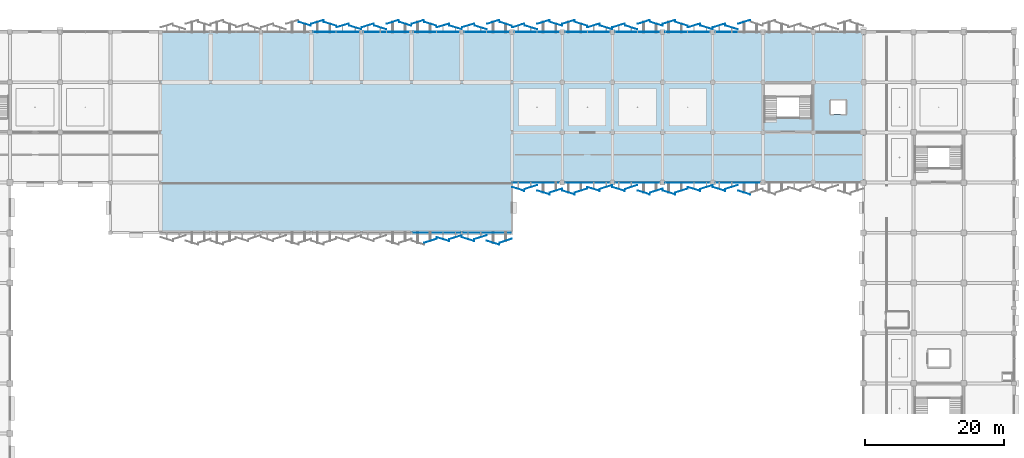
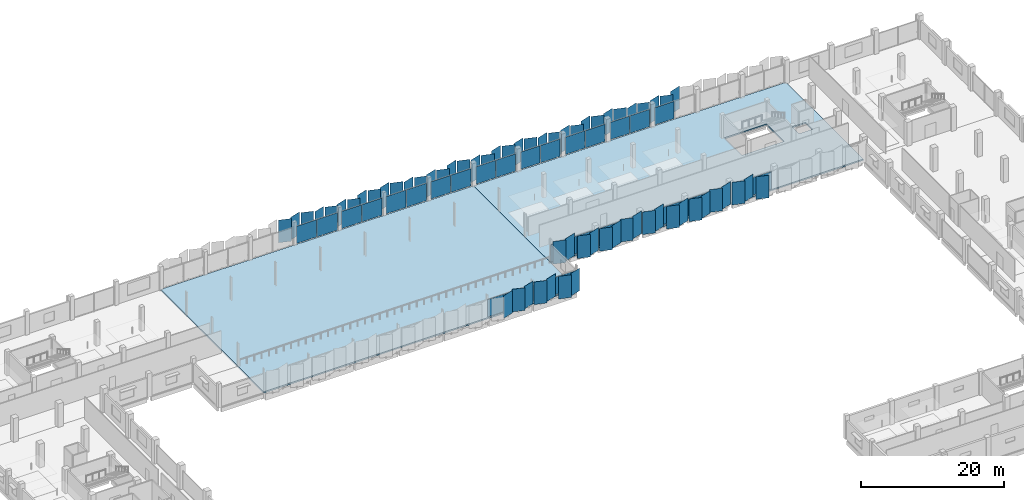
# One storey, part 72 of 107: 86 plates, 2 slabs, 16 elements without a shape of their own.
"""IFC4 building model written with IfcOpenShell, lengths in metres."""

from ifc_helpers import new_model, si_unit, direction, frame, origin, origin_2d, place, context, subcontext, project, spatial, polyline, rectangle, outline, extrude, material, layer, layer_set, type_object, element, aggregate, save


model = new_model("IFC4")

# Units and contexts
model_context = context("Model", 3, precision=1e-05, world=origin(), true_north=direction((0.0, 1.0)))
body_context = subcontext(model_context, "Body", "Model", "MODEL_VIEW")
ifc_project = project(units=[si_unit("LENGTHUNIT", "METRE"), si_unit("AREAUNIT", "SQUARE_METRE"), si_unit("VOLUMEUNIT", "CUBIC_METRE"), si_unit("PLANEANGLEUNIT", "RADIAN"), si_unit("MASSUNIT", "GRAM", prefix="KILO")], contexts=[model_context])

# Site, building, storey
site_placement = place(None, origin())
site = spatial("IfcSite", under=ifc_project, at=site_placement, CompositionType="ELEMENT")
building_placement = place(site_placement, origin())
building = spatial("IfcBuilding", under=site, at=building_placement, Name="Kangsadwip Square Police Headquarters", CompositionType="ELEMENT")
storey_placement = place(building_placement, frame((0.0, 0.0, 5.39990234375)))
storey = spatial("IfcBuildingStorey", under=building, at=storey_placement, Name="L01", CompositionType="ELEMENT", Elevation=5.39990234375)

# Curtain wall, plate
ifc_material_1 = material(Name="Thermally broken anodised aluminium AW-6063-T6", Category="aluminium")
ifc_layer_1 = layer(ifc_material_1, 0.159912109375)
ifc_layer_set_1 = layer_set([ifc_layer_1], Name="Thermally broken anodised aluminium AW-6063-T6")
curtain_wall_type_1 = type_object("IfcCurtainWallType", Name="CourtScreen7180x3200", PredefinedType="USERDEFINED", material=ifc_layer_set_1)
curtain_wall_1_placement = place(storey_placement, origin())
curtain_wall_1 = element("IfcCurtainWall", 1, at=curtain_wall_1_placement, inside=storey, type_object=curtain_wall_type_1, Name="Curtain Wall CW-L01-0792-0864", ObjectType="GLAZED_SCREEN", PredefinedType="USERDEFINED")
ifc_material_2 = material(Name="Double-glazed solar-control low-E safety glass", Category="glass")
ifc_layer_2 = layer(ifc_material_2, 0.02392578125)
ifc_layer_set_2 = layer_set([ifc_layer_2], Name="Double-glazed solar-control low-E safety glass")
plate_type_1 = type_object("IfcPlateType", Name="CwCourtVisionPanel24", PredefinedType="CURTAIN_PANEL", material=ifc_layer_set_2)
plate_1_placement = place(storey_placement, frame((82.800048828125, 86.39990234375, 0.1201171875), z_axis=(0.0, 0.0, 1.0), x_axis=(1.0, 0.0, 0.0)))
plate_1 = element("IfcPlate", 2, at=plate_1_placement, type_object=plate_type_1, Name="CW-17 panel 1.1", PredefinedType="CURTAIN_PANEL", context=body_context, shape_type="SweptSolid", body=[
    extrude(rectangle(XDim=7.06005859375, YDim=0.02392578125, at=origin_2d()), origin(), (0.0, 0.0, 1.0), 2.9599609375),
])
aggregate(curtain_wall_1, [plate_1])

curtain_wall_2_placement = place(storey_placement, origin())
curtain_wall_2 = element("IfcCurtainWall", 3, at=curtain_wall_2_placement, inside=storey, type_object=curtain_wall_type_1, Name="Curtain Wall CW-L01-0864-0864", ObjectType="GLAZED_SCREEN", PredefinedType="USERDEFINED")
plate_2_placement = place(storey_placement, frame((90.0, 86.39990234375, 0.1201171875), z_axis=(0.0, 0.0, 1.0), x_axis=(1.0, 0.0, 0.0)))
plate_2 = element("IfcPlate", 4, at=plate_2_placement, type_object=plate_type_1, Name="CW-17 panel 1.1", PredefinedType="CURTAIN_PANEL", context=body_context, shape_type="SweptSolid", body=[
    extrude(rectangle(XDim=7.06005859375, YDim=0.02392578125, at=origin_2d()), origin(), (0.0, 0.0, 1.0), 2.9599609375),
])
aggregate(curtain_wall_2, [plate_2])

ifc_material_3 = material(Name="Thermally broken anodised aluminium AW-6063-T6", Category="aluminium")
ifc_layer_3 = layer(ifc_material_3, 0.159912109375)
ifc_layer_set_3 = layer_set([ifc_layer_3], Name="Thermally broken anodised aluminium AW-6063-T6")
curtain_wall_type_2 = type_object("IfcCurtainWallType", Name="CourtScreen6845x3200", PredefinedType="USERDEFINED", material=ifc_layer_set_3)
curtain_wall_3_placement = place(storey_placement, origin())
curtain_wall_3 = element("IfcCurtainWall", 5, at=curtain_wall_3_placement, inside=storey, type_object=curtain_wall_type_2, Name="Curtain Wall CW-L01-0936-0936", ObjectType="GLAZED_SCREEN", PredefinedType="USERDEFINED")
plate_3_placement = place(storey_placement, frame((97.032470703125, 93.60009765625, 0.1201171875), z_axis=(0.0, 0.0, 1.0), x_axis=(1.0, 0.0, 0.0)))
plate_3 = element("IfcPlate", 6, at=plate_3_placement, type_object=plate_type_1, Name="CW-18 panel 1.1", PredefinedType="CURTAIN_PANEL", context=body_context, shape_type="SweptSolid", body=[
    extrude(rectangle(XDim=6.72509765625, YDim=0.02392578125, at=origin_2d()), origin(), (0.0, 0.0, 1.0), 2.9599609375),
])
aggregate(curtain_wall_3, [plate_3])

ifc_material_4 = material(Name="Thermally broken anodised aluminium AW-6063-T6", Category="aluminium")
ifc_layer_4 = layer(ifc_material_4, 0.159912109375)
ifc_layer_set_4 = layer_set([ifc_layer_4], Name="Thermally broken anodised aluminium AW-6063-T6")
curtain_wall_type_3 = type_object("IfcCurtainWallType", Name="CourtScreen6510x3200", PredefinedType="USERDEFINED", material=ifc_layer_set_4)
curtain_wall_4_placement = place(storey_placement, origin())
curtain_wall_4 = element("IfcCurtainWall", 7, at=curtain_wall_4_placement, inside=storey, type_object=curtain_wall_type_3, Name="Curtain Wall CW-L01-1011-0936", ObjectType="GLAZED_SCREEN", PredefinedType="USERDEFINED")
plate_4_placement = place(storey_placement, frame((104.39990234375, 93.60009765625, 0.1201171875), z_axis=(0.0, 0.0, 1.0), x_axis=(1.0, 0.0, 0.0)))
plate_4 = element("IfcPlate", 8, at=plate_4_placement, type_object=plate_type_1, Name="CW-19 panel 1.1", PredefinedType="CURTAIN_PANEL", context=body_context, shape_type="SweptSolid", body=[
    extrude(rectangle(XDim=6.389892578125, YDim=0.02392578125, at=origin_2d()), origin(), (0.0, 0.0, 1.0), 2.9599609375),
])
aggregate(curtain_wall_4, [plate_4])

curtain_wall_5_placement = place(storey_placement, origin())
curtain_wall_5 = element("IfcCurtainWall", 9, at=curtain_wall_5_placement, inside=storey, type_object=curtain_wall_type_3, Name="Curtain Wall CW-L01-1083-0936", ObjectType="GLAZED_SCREEN", PredefinedType="USERDEFINED")
plate_5_placement = place(storey_placement, frame((111.60009765625, 93.60009765625, 0.1201171875), z_axis=(0.0, 0.0, 1.0), x_axis=(1.0, 0.0, 0.0)))
plate_5 = element("IfcPlate", 10, at=plate_5_placement, type_object=plate_type_1, Name="CW-19 panel 1.1", PredefinedType="CURTAIN_PANEL", context=body_context, shape_type="SweptSolid", body=[
    extrude(rectangle(XDim=6.389892578125, YDim=0.02392578125, at=origin_2d()), origin(), (0.0, 0.0, 1.0), 2.9599609375),
])
aggregate(curtain_wall_5, [plate_5])

curtain_wall_6_placement = place(storey_placement, origin())
curtain_wall_6 = element("IfcCurtainWall", 11, at=curtain_wall_6_placement, inside=storey, type_object=curtain_wall_type_3, Name="Curtain Wall CW-L01-1155-0936", ObjectType="GLAZED_SCREEN", PredefinedType="USERDEFINED")
plate_6_placement = place(storey_placement, frame((118.800048828125, 93.60009765625, 0.1201171875), z_axis=(0.0, 0.0, 1.0), x_axis=(1.0, 0.0, 0.0)))
plate_6 = element("IfcPlate", 12, at=plate_6_placement, type_object=plate_type_1, Name="CW-19 panel 1.1", PredefinedType="CURTAIN_PANEL", context=body_context, shape_type="SweptSolid", body=[
    extrude(rectangle(XDim=6.389892578125, YDim=0.02392578125, at=origin_2d()), origin(), (0.0, 0.0, 1.0), 2.9599609375),
])
aggregate(curtain_wall_6, [plate_6])

curtain_wall_7_placement = place(storey_placement, origin())
curtain_wall_7 = element("IfcCurtainWall", 13, at=curtain_wall_7_placement, inside=storey, type_object=curtain_wall_type_3, Name="Curtain Wall CW-L01-1227-0936", ObjectType="GLAZED_SCREEN", PredefinedType="USERDEFINED")
plate_7_placement = place(storey_placement, frame((126.0, 93.60009765625, 0.1201171875), z_axis=(0.0, 0.0, 1.0), x_axis=(1.0, 0.0, 0.0)))
plate_7 = element("IfcPlate", 14, at=plate_7_placement, type_object=plate_type_1, Name="CW-19 panel 1.1", PredefinedType="CURTAIN_PANEL", context=body_context, shape_type="SweptSolid", body=[
    extrude(rectangle(XDim=6.389892578125, YDim=0.02392578125, at=origin_2d()), origin(), (0.0, 0.0, 1.0), 2.9599609375),
])
aggregate(curtain_wall_7, [plate_7])

# Curtain wall, plates
ifc_material_5 = material(Name="Thermally broken anodised aluminium AW-6063-T6", Category="aluminium")
ifc_layer_5 = layer(ifc_material_5, 0.159912109375)
ifc_layer_set_5 = layer_set([ifc_layer_5], Name="Thermally broken anodised aluminium AW-6063-T6")
curtain_wall_type_4 = type_object("IfcCurtainWallType", Name="UnitisedCw6685x3200", PredefinedType="NOTDEFINED", material=ifc_layer_set_5)
curtain_wall_8_placement = place(storey_placement, origin())
curtain_wall_8 = element("IfcCurtainWall", 15, at=curtain_wall_8_placement, inside=storey, type_object=curtain_wall_type_4, Name="Curtain Wall CW-L01-0650-1152", PredefinedType="NOTDEFINED")
ifc_material_6 = material(Name="Double-glazed solar-control low-E safety glass", Category="glass")
ifc_layer_6 = layer(ifc_material_6, 0.028076171875)
ifc_layer_set_6 = layer_set([ifc_layer_6], Name="Double-glazed solar-control low-E safety glass")
plate_type_2 = type_object("IfcPlateType", Name="CwSolarVisionPanel28", PredefinedType="CURTAIN_PANEL", material=ifc_layer_set_6)
plate_8_placement = place(storey_placement, frame((66.732421875, 115.199951171875, 0.130126953125), z_axis=(0.0, 0.0, 1.0), x_axis=(1.0, 0.0, 0.0)))
plate_8 = element("IfcPlate", 16, at=plate_8_placement, type_object=plate_type_2, Name="CW-23 panel 1.1", PredefinedType="CURTAIN_PANEL", context=body_context, shape_type="SweptSolid", body=[
    extrude(rectangle(XDim=3.2451171875, YDim=0.028076171875, at=origin_2d()), origin(), (0.0, 0.0, 1.0), 2.93994140625),
])
plate_9_placement = place(storey_placement, frame((70.04248046875, 115.199951171875, 0.130126953125), z_axis=(0.0, 0.0, 1.0), x_axis=(1.0, 0.0, 0.0)))
plate_9 = element("IfcPlate", 17, at=plate_9_placement, type_object=plate_type_2, Name="CW-23 panel 2.1", PredefinedType="CURTAIN_PANEL", context=body_context, shape_type="SweptSolid", body=[
    extrude(rectangle(XDim=3.2451171875, YDim=0.028076171875, at=origin_2d()), origin(), (0.0, 0.0, 1.0), 2.93994140625),
])
aggregate(curtain_wall_8, [plate_8, plate_9])

curtain_wall_9_placement = place(storey_placement, origin())
curtain_wall_9 = element("IfcCurtainWall", 18, at=curtain_wall_9_placement, inside=storey, type_object=curtain_wall_type_4, Name="Curtain Wall CW-L01-0794-1152", PredefinedType="NOTDEFINED")
plate_10_placement = place(storey_placement, frame((81.132568359375, 115.199951171875, 0.130126953125), z_axis=(0.0, 0.0, 1.0), x_axis=(1.0, 0.0, 0.0)))
plate_10 = element("IfcPlate", 19, at=plate_10_placement, type_object=plate_type_2, Name="CW-23 panel 1.1", PredefinedType="CURTAIN_PANEL", context=body_context, shape_type="SweptSolid", body=[
    extrude(rectangle(XDim=3.2451171875, YDim=0.028076171875, at=origin_2d()), origin(), (0.0, 0.0, 1.0), 2.93994140625),
])
plate_11_placement = place(storey_placement, frame((84.4423828125, 115.199951171875, 0.130126953125), z_axis=(0.0, 0.0, 1.0), x_axis=(1.0, 0.0, 0.0)))
plate_11 = element("IfcPlate", 20, at=plate_11_placement, type_object=plate_type_2, Name="CW-23 panel 2.1", PredefinedType="CURTAIN_PANEL", context=body_context, shape_type="SweptSolid", body=[
    extrude(rectangle(XDim=3.2451171875, YDim=0.028076171875, at=origin_2d()), origin(), (0.0, 0.0, 1.0), 2.93994140625),
])
aggregate(curtain_wall_9, [plate_10, plate_11])

ifc_material_7 = material(Name="Thermally broken anodised aluminium AW-6063-T6", Category="aluminium")
ifc_layer_7 = layer(ifc_material_7, 0.159912109375)
ifc_layer_set_7 = layer_set([ifc_layer_7], Name="Thermally broken anodised aluminium AW-6063-T6")
curtain_wall_type_5 = type_object("IfcCurtainWallType", Name="UnitisedCw6585x3200", PredefinedType="NOTDEFINED", material=ifc_layer_set_7)
curtain_wall_10_placement = place(storey_placement, origin())
curtain_wall_10 = element("IfcCurtainWall", 21, at=curtain_wall_10_placement, inside=storey, type_object=curtain_wall_type_5, Name="Curtain Wall CW-L01-0867-1152", PredefinedType="NOTDEFINED")
plate_12_placement = place(storey_placement, frame((88.33251953125, 115.199951171875, 0.130126953125), z_axis=(0.0, 0.0, 1.0), x_axis=(1.0, 0.0, 0.0)))
plate_12 = element("IfcPlate", 22, at=plate_12_placement, type_object=plate_type_2, Name="CW-21 panel 1.1", PredefinedType="CURTAIN_PANEL", context=body_context, shape_type="SweptSolid", body=[
    extrude(rectangle(XDim=3.195068359375, YDim=0.028076171875, at=origin_2d()), origin(), (0.0, 0.0, 1.0), 2.93994140625),
])
plate_13_placement = place(storey_placement, frame((91.592529296875, 115.199951171875, 0.130126953125), z_axis=(0.0, 0.0, 1.0), x_axis=(1.0, 0.0, 0.0)))
plate_13 = element("IfcPlate", 23, at=plate_13_placement, type_object=plate_type_2, Name="CW-21 panel 2.1", PredefinedType="CURTAIN_PANEL", context=body_context, shape_type="SweptSolid", body=[
    extrude(rectangle(XDim=3.195068359375, YDim=0.028076171875, at=origin_2d()), origin(), (0.0, 0.0, 1.0), 2.93994140625),
])
aggregate(curtain_wall_10, [plate_12, plate_13])

ifc_material_8 = material(Name="Thermally broken anodised aluminium AW-6063-T6", Category="aluminium")
ifc_layer_8 = layer(ifc_material_8, 0.159912109375)
ifc_layer_set_8 = layer_set([ifc_layer_8], Name="Thermally broken anodised aluminium AW-6063-T6")
curtain_wall_type_6 = type_object("IfcCurtainWallType", Name="UnitisedCw6510x3200", PredefinedType="NOTDEFINED", material=ifc_layer_set_8)
curtain_wall_11_placement = place(storey_placement, origin())
curtain_wall_11 = element("IfcCurtainWall", 24, at=curtain_wall_11_placement, inside=storey, type_object=curtain_wall_type_6, Name="Curtain Wall CW-L01-0939-1152", PredefinedType="NOTDEFINED")
plate_14_placement = place(storey_placement, frame((95.5888671875, 115.199951171875, 0.130126953125), z_axis=(0.0, 0.0, 1.0), x_axis=(1.0, 0.0, 0.0)))
plate_14 = element("IfcPlate", 25, at=plate_14_placement, type_object=plate_type_2, Name="CW-24 panel 1.1", PredefinedType="CURTAIN_PANEL", context=body_context, shape_type="SweptSolid", body=[
    extrude(rectangle(XDim=3.157470703125, YDim=0.028076171875, at=origin_2d()), origin(), (0.0, 0.0, 1.0), 2.93994140625),
])
plate_15_placement = place(storey_placement, frame((98.811279296875, 115.199951171875, 0.130126953125), z_axis=(0.0, 0.0, 1.0), x_axis=(1.0, 0.0, 0.0)))
plate_15 = element("IfcPlate", 26, at=plate_15_placement, type_object=plate_type_2, Name="CW-24 panel 2.1", PredefinedType="CURTAIN_PANEL", context=body_context, shape_type="SweptSolid", body=[
    extrude(rectangle(XDim=3.157470703125, YDim=0.028076171875, at=origin_2d()), origin(), (0.0, 0.0, 1.0), 2.93994140625),
])
aggregate(curtain_wall_11, [plate_14, plate_15])

curtain_wall_12_placement = place(storey_placement, origin())
curtain_wall_12 = element("IfcCurtainWall", 27, at=curtain_wall_12_placement, inside=storey, type_object=curtain_wall_type_6, Name="Curtain Wall CW-L01-1011-1152", PredefinedType="NOTDEFINED")
plate_16_placement = place(storey_placement, frame((102.788818359375, 115.199951171875, 0.130126953125), z_axis=(0.0, 0.0, 1.0), x_axis=(1.0, 0.0, 0.0)))
plate_16 = element("IfcPlate", 28, at=plate_16_placement, type_object=plate_type_2, Name="CW-24 panel 1.1", PredefinedType="CURTAIN_PANEL", context=body_context, shape_type="SweptSolid", body=[
    extrude(rectangle(XDim=3.157470703125, YDim=0.028076171875, at=origin_2d()), origin(), (0.0, 0.0, 1.0), 2.93994140625),
])
plate_17_placement = place(storey_placement, frame((106.01123046875, 115.199951171875, 0.130126953125), z_axis=(0.0, 0.0, 1.0), x_axis=(1.0, 0.0, 0.0)))
plate_17 = element("IfcPlate", 29, at=plate_17_placement, type_object=plate_type_2, Name="CW-24 panel 2.1", PredefinedType="CURTAIN_PANEL", context=body_context, shape_type="SweptSolid", body=[
    extrude(rectangle(XDim=3.157470703125, YDim=0.028076171875, at=origin_2d()), origin(), (0.0, 0.0, 1.0), 2.93994140625),
])
aggregate(curtain_wall_12, [plate_16, plate_17])

curtain_wall_13_placement = place(storey_placement, origin())
curtain_wall_13 = element("IfcCurtainWall", 30, at=curtain_wall_13_placement, inside=storey, type_object=curtain_wall_type_6, Name="Curtain Wall CW-L01-1083-1152", PredefinedType="NOTDEFINED")
plate_18_placement = place(storey_placement, frame((109.98876953125, 115.199951171875, 0.130126953125), z_axis=(0.0, 0.0, 1.0), x_axis=(1.0, 0.0, 0.0)))
plate_18 = element("IfcPlate", 31, at=plate_18_placement, type_object=plate_type_2, Name="CW-24 panel 1.1", PredefinedType="CURTAIN_PANEL", context=body_context, shape_type="SweptSolid", body=[
    extrude(rectangle(XDim=3.157470703125, YDim=0.028076171875, at=origin_2d()), origin(), (0.0, 0.0, 1.0), 2.93994140625),
])
plate_19_placement = place(storey_placement, frame((113.211181640625, 115.199951171875, 0.130126953125), z_axis=(0.0, 0.0, 1.0), x_axis=(1.0, 0.0, 0.0)))
plate_19 = element("IfcPlate", 32, at=plate_19_placement, type_object=plate_type_2, Name="CW-24 panel 2.1", PredefinedType="CURTAIN_PANEL", context=body_context, shape_type="SweptSolid", body=[
    extrude(rectangle(XDim=3.157470703125, YDim=0.028076171875, at=origin_2d()), origin(), (0.0, 0.0, 1.0), 2.93994140625),
])
aggregate(curtain_wall_13, [plate_18, plate_19])

curtain_wall_14_placement = place(storey_placement, origin())
curtain_wall_14 = element("IfcCurtainWall", 33, at=curtain_wall_14_placement, inside=storey, type_object=curtain_wall_type_6, Name="Curtain Wall CW-L01-1155-1152", PredefinedType="NOTDEFINED")
plate_20_placement = place(storey_placement, frame((117.188720703125, 115.199951171875, 0.130126953125), z_axis=(0.0, 0.0, 1.0), x_axis=(1.0, 0.0, 0.0)))
plate_20 = element("IfcPlate", 34, at=plate_20_placement, type_object=plate_type_2, Name="CW-24 panel 1.1", PredefinedType="CURTAIN_PANEL", context=body_context, shape_type="SweptSolid", body=[
    extrude(rectangle(XDim=3.157470703125, YDim=0.028076171875, at=origin_2d()), origin(), (0.0, 0.0, 1.0), 2.93994140625),
])
plate_21_placement = place(storey_placement, frame((120.4111328125, 115.199951171875, 0.130126953125), z_axis=(0.0, 0.0, 1.0), x_axis=(1.0, 0.0, 0.0)))
plate_21 = element("IfcPlate", 35, at=plate_21_placement, type_object=plate_type_2, Name="CW-24 panel 2.1", PredefinedType="CURTAIN_PANEL", context=body_context, shape_type="SweptSolid", body=[
    extrude(rectangle(XDim=3.157470703125, YDim=0.028076171875, at=origin_2d()), origin(), (0.0, 0.0, 1.0), 2.93994140625),
])
aggregate(curtain_wall_14, [plate_20, plate_21])

curtain_wall_15_placement = place(storey_placement, origin())
curtain_wall_15 = element("IfcCurtainWall", 36, at=curtain_wall_15_placement, inside=storey, type_object=curtain_wall_type_4, Name="Curtain Wall CW-L01-0723-1152", PredefinedType="NOTDEFINED")
ifc_material_9 = material(Name="Insulated ceramic-fritted spandrel safety glass", Category="glass")
ifc_layer_9 = layer(ifc_material_9, 0.0400390625)
ifc_layer_set_9 = layer_set([ifc_layer_9], Name="Insulated ceramic-fritted spandrel safety glass")
plate_type_3 = type_object("IfcPlateType", Name="CwSpandrelSheetPanel40", PredefinedType="SHEET", material=ifc_layer_set_9)
plate_22_placement = place(storey_placement, frame((73.95751953125, 115.199951171875, 0.130126953125), z_axis=(0.0, 0.0, 1.0), x_axis=(1.0, 0.0, 0.0)))
plate_22 = element("IfcPlate", 37, at=plate_22_placement, type_object=plate_type_3, Name="CW-23 panel 1.1", PredefinedType="SHEET", context=body_context, shape_type="SweptSolid", body=[
    extrude(rectangle(XDim=3.2451171875, YDim=0.0400390625, at=origin_2d()), origin(), (0.0, 0.0, 1.0), 2.93994140625),
])
plate_23_placement = place(storey_placement, frame((77.267578125, 115.199951171875, 0.130126953125), z_axis=(0.0, 0.0, 1.0), x_axis=(1.0, 0.0, 0.0)))
plate_23 = element("IfcPlate", 38, at=plate_23_placement, type_object=plate_type_3, Name="CW-23 panel 2.1", PredefinedType="SHEET", context=body_context, shape_type="SweptSolid", body=[
    extrude(rectangle(XDim=3.2451171875, YDim=0.0400390625, at=origin_2d()), origin(), (0.0, 0.0, 1.0), 2.93994140625),
])
aggregate(curtain_wall_15, [plate_22, plate_23])

# Curtain wall, plate
curtain_wall_16_placement = place(storey_placement, origin())
curtain_wall_16 = element("IfcCurtainWall", 39, at=curtain_wall_16_placement, inside=storey, type_object=curtain_wall_type_6, Name="Curtain Wall CW-L01-1227-1152", PredefinedType="NOTDEFINED")
plate_24_placement = place(storey_placement, frame((124.388671875, 115.199951171875, 0.130126953125), z_axis=(0.0, 0.0, 1.0), x_axis=(1.0, 0.0, 0.0)))
plate_24 = element("IfcPlate", 40, at=plate_24_placement, type_object=plate_type_3, Name="CW-24 panel 1.1", PredefinedType="SHEET", context=body_context, shape_type="SweptSolid", body=[
    extrude(rectangle(XDim=3.157470703125, YDim=0.0400390625, at=origin_2d()), origin(), (0.0, 0.0, 1.0), 2.93994140625),
])
aggregate(curtain_wall_16, [plate_24])

# Slabs
ifc_material_10 = material(Name="Concrete M35 (35 MPa)", Category="concrete")
ifc_layer_10 = layer(ifc_material_10, 0.239990234375)
ifc_layer_set_10 = layer_set([ifc_layer_10], Name="Concrete M35 (35 MPa)")
slab_type = type_object("IfcSlabType", Name="MainFloorSlab240", PredefinedType="FLOOR", material=ifc_layer_set_10)
slab_1_placement = place(storey_placement, frame((0.0, 0.0, -0.239990234375)))
element("IfcSlab", 41, at=slab_1_placement, inside=storey, type_object=slab_type, Name="L01 Vol1 Slab SL-L01-020", PredefinedType="FLOOR", context=body_context, shape_type="SweptSolid", body=[
    extrude(outline(polyline([(43.199951171875, 86.39990234375), (43.199951171875, 115.199951171875), (93.60009765625, 115.199951171875), (93.60009765625, 86.39990234375), (43.199951171875, 86.39990234375)])), origin(), (0.0, 0.0, 1.0), 0.239990234375),
])
slab_2_placement = place(storey_placement, frame((0.0, 0.0, -0.239990234375)))
element("IfcSlab", 42, at=slab_2_placement, inside=storey, type_object=slab_type, Name="L01 Vol2 Slab SL-L01-021", PredefinedType="FLOOR", context=body_context, shape_type="SweptSolid", body=[
    extrude(outline(polyline([(93.60009765625, 93.60009765625), (93.60009765625, 115.199951171875), (144.0, 115.199951171875), (144.0, 93.60009765625), (93.60009765625, 93.60009765625)]), holes=[polyline([(141.47509765625, 103.425048828125), (141.47509765625, 105.375), (139.324951171875, 105.375), (139.324951171875, 103.425048828125), (141.47509765625, 103.425048828125)]), polyline([(129.820068359375, 102.8798828125), (136.580078125, 102.8798828125), (136.580078125, 107.780029296875), (129.820068359375, 107.780029296875), (129.820068359375, 102.8798828125)])]), origin(), (0.0, 0.0, 1.0), 0.239990234375),
])

# Plates
ifc_material_11 = material(Name="PVDF-coated perforated marine-grade aluminium AW-5052-H32", Category="aluminium")
ifc_layer_11 = layer(ifc_material_11, 0.006103515625)
ifc_layer_set_11 = layer_set([ifc_layer_11], Name="PVDF-coated perforated marine-grade aluminium AW-5052-H32")
plate_type_4 = type_object("IfcPlateType", Name="PleatedVeilFacet1", PredefinedType="USERDEFINED", material=ifc_layer_set_11)
for number, where, z_axis, x_axis, name in (
    (43, (63.89990234375, 116.3544921875, 0.1201171875), (0.0, 0.0, 1.0), (0.953716950748, -0.300705799504, 0.0), "Pleated Perforated Veil Facet PVF-L01-0012"),
    (44, (65.699951171875, 116.634521484375, 0.1201171875), (0.0, 0.0, 1.0), (0.953716950748, 0.300705799504, 0.0), "Pleated Perforated Veil Facet PVF-L01-0013"),
    (45, (67.5, 116.3544921875, 0.1201171875), (0.0, 0.0, 1.0), (0.953716950748, -0.300705799504, 0.0), "Pleated Perforated Veil Facet PVF-L01-0014"),
    (46, (69.300048828125, 116.12548828125, 0.1201171875), (0.0, 0.0, 1.0), (0.953716950748, 0.300705799504, 0.0), "Pleated Perforated Veil Facet PVF-L01-0015"),
    (47, (71.10009765625, 115.845458984375, 0.1201171875), (0.0, 0.0, 1.0), (0.953716950748, -0.300705799504, 0.0), "Pleated Perforated Veil Facet PVF-L01-0016"),
    (48, (72.89990234375, 116.12548828125, 0.1201171875), (0.0, 0.0, 1.0), (0.953716950748, 0.300705799504, 0.0), "Pleated Perforated Veil Facet PVF-L01-0017"),
    (49, (74.699951171875, 115.845458984375, 0.1201171875), (0.0, 0.0, 1.0), (0.953716950748, -0.300705799504, 0.0), "Pleated Perforated Veil Facet PVF-L01-0018"),
    (50, (76.5, 116.634521484375, 0.1201171875), (0.0, 0.0, 1.0), (0.953716950748, 0.300705799504, 0.0), "Pleated Perforated Veil Facet PVF-L01-0019"),
    (51, (78.300048828125, 116.3544921875, 0.1201171875), (0.0, 0.0, 1.0), (0.953716950748, -0.300705799504, 0.0), "Pleated Perforated Veil Facet PVF-L01-0020"),
    (52, (80.10009765625, 116.634521484375, 0.1201171875), (0.0, 0.0, 1.0), (0.953716950748, 0.300705799504, 0.0), "Pleated Perforated Veil Facet PVF-L01-0021"),
    (53, (81.89990234375, 116.3544921875, 0.1201171875), (0.0, 0.0, 1.0), (0.953716950748, -0.300705799504, 0.0), "Pleated Perforated Veil Facet PVF-L01-0022"),
    (54, (83.699951171875, 116.12548828125, 0.1201171875), (0.0, 0.0, 1.0), (0.953716950748, 0.300705799504, 0.0), "Pleated Perforated Veil Facet PVF-L01-0023"),
    (55, (85.5, 115.845458984375, 0.1201171875), (0.0, 0.0, 1.0), (0.953716950748, -0.300705799504, 0.0), "Pleated Perforated Veil Facet PVF-L01-0024"),
    (56, (87.300048828125, 116.12548828125, 0.1201171875), (0.0, 0.0, 1.0), (0.953716950748, 0.300705799504, 0.0), "Pleated Perforated Veil Facet PVF-L01-0025"),
    (57, (89.10009765625, 115.845458984375, 0.1201171875), (0.0, 0.0, 1.0), (0.953716950748, -0.300705799504, 0.0), "Pleated Perforated Veil Facet PVF-L01-0026"),
    (58, (90.89990234375, 116.634521484375, 0.1201171875), (0.0, 0.0, 1.0), (0.953716950748, 0.300705799504, 0.0), "Pleated Perforated Veil Facet PVF-L01-0027"),
    (59, (92.699951171875, 116.3544921875, 0.1201171875), (0.0, 0.0, 1.0), (0.953716950748, -0.300705799504, 0.0), "Pleated Perforated Veil Facet PVF-L01-0028"),
):
    element("IfcPlate", number, at=place(storey_placement, frame(where, z_axis=z_axis, x_axis=x_axis)), inside=storey, type_object=plate_type_4, Name=name, ObjectType="VEIL_FACET", PredefinedType="USERDEFINED", context=body_context, shape_type="SweptSolid", body=[
        extrude(rectangle(XDim=1.820068359375, YDim=0.006103515625, at=origin_2d()), origin(), (0.0, 0.0, 1.0), 3.860107421875),
    ])
ifc_material_12 = material(Name="PVDF-coated perforated marine-grade aluminium AW-5052-H32", Category="aluminium")
ifc_layer_12 = layer(ifc_material_12, 0.006103515625)
ifc_layer_set_12 = layer_set([ifc_layer_12], Name="PVDF-coated perforated marine-grade aluminium AW-5052-H32")
plate_type_5 = type_object("IfcPlateType", Name="PleatedVeilFacet2", PredefinedType="USERDEFINED", material=ifc_layer_set_12)
for number, where, z_axis, x_axis, name in (
    (60, (94.5, 116.12548828125, 0.1201171875), (0.0, 0.0, 1.0), (0.953716950748, 0.300705799504, 0.0), "Pleated Perforated Veil Facet PVF-L01-0057"),
    (61, (96.300048828125, 115.845458984375, 0.1201171875), (0.0, 0.0, 1.0), (0.953716950748, -0.300705799504, 0.0), "Pleated Perforated Veil Facet PVF-L01-0058"),
    (62, (98.10009765625, 116.634521484375, 0.1201171875), (0.0, 0.0, 1.0), (0.953716950748, 0.300705799504, 0.0), "Pleated Perforated Veil Facet PVF-L01-0059"),
    (63, (99.89990234375, 116.3544921875, 0.1201171875), (0.0, 0.0, 1.0), (0.953716950748, -0.300705799504, 0.0), "Pleated Perforated Veil Facet PVF-L01-0060"),
    (64, (101.699951171875, 116.634521484375, 0.1201171875), (0.0, 0.0, 1.0), (0.953716950748, 0.300705799504, 0.0), "Pleated Perforated Veil Facet PVF-L01-0061"),
    (65, (103.5, 116.3544921875, 0.1201171875), (0.0, 0.0, 1.0), (0.953716950748, -0.300705799504, 0.0), "Pleated Perforated Veil Facet PVF-L01-0062"),
    (66, (105.300048828125, 116.12548828125, 0.1201171875), (0.0, 0.0, 1.0), (0.953716950748, 0.300705799504, 0.0), "Pleated Perforated Veil Facet PVF-L01-0063"),
    (67, (107.10009765625, 115.845458984375, 0.1201171875), (0.0, 0.0, 1.0), (0.953716950748, -0.300705799504, 0.0), "Pleated Perforated Veil Facet PVF-L01-0064"),
    (68, (108.89990234375, 116.12548828125, 0.1201171875), (0.0, 0.0, 1.0), (0.953716950748, 0.300705799504, 0.0), "Pleated Perforated Veil Facet PVF-L01-0065"),
    (69, (110.699951171875, 115.845458984375, 0.1201171875), (0.0, 0.0, 1.0), (0.953716950748, -0.300705799504, 0.0), "Pleated Perforated Veil Facet PVF-L01-0066"),
    (70, (112.5, 116.634521484375, 0.1201171875), (0.0, 0.0, 1.0), (0.953716950748, 0.300705799504, 0.0), "Pleated Perforated Veil Facet PVF-L01-0067"),
    (71, (114.300048828125, 116.3544921875, 0.1201171875), (0.0, 0.0, 1.0), (0.953716950748, -0.300705799504, 0.0), "Pleated Perforated Veil Facet PVF-L01-0068"),
    (72, (116.10009765625, 116.634521484375, 0.1201171875), (0.0, 0.0, 1.0), (0.953716950748, 0.300705799504, 0.0), "Pleated Perforated Veil Facet PVF-L01-0069"),
    (73, (117.89990234375, 116.3544921875, 0.1201171875), (0.0, 0.0, 1.0), (0.953716950748, -0.300705799504, 0.0), "Pleated Perforated Veil Facet PVF-L01-0070"),
    (74, (119.699951171875, 116.12548828125, 0.1201171875), (0.0, 0.0, 1.0), (0.953716950748, 0.300705799504, 0.0), "Pleated Perforated Veil Facet PVF-L01-0071"),
    (75, (121.5, 115.845458984375, 0.1201171875), (0.0, 0.0, 1.0), (0.953716950748, -0.300705799504, 0.0), "Pleated Perforated Veil Facet PVF-L01-0072"),
    (76, (123.300048828125, 116.12548828125, 0.1201171875), (0.0, 0.0, 1.0), (0.953716950748, 0.300705799504, 0.0), "Pleated Perforated Veil Facet PVF-L01-0073"),
    (77, (125.10009765625, 115.845458984375, 0.1201171875), (0.0, 0.0, 1.0), (0.953716950748, -0.300705799504, 0.0), "Pleated Perforated Veil Facet PVF-L01-0074"),
    (78, (126.89990234375, 116.634521484375, 0.1201171875), (0.0, 0.0, 1.0), (0.953716950748, 0.300705799504, 0.0), "Pleated Perforated Veil Facet PVF-L01-0075"),
    (79, (94.5, 92.674560546875, 0.1201171875), (0.0, 0.0, 1.0), (0.953716950748, -0.300705799504, 0.0), "Pleated Perforated Veil Facet PVF-L01-0253"),
    (80, (96.300048828125, 92.95458984375, 0.1201171875), (0.0, 0.0, 1.0), (0.953716950748, 0.300705799504, 0.0), "Pleated Perforated Veil Facet PVF-L01-0254"),
    (81, (98.10009765625, 92.165283203125, 0.1201171875), (0.0, 0.0, 1.0), (0.953716950748, -0.300705799504, 0.0), "Pleated Perforated Veil Facet PVF-L01-0255"),
    (82, (99.89990234375, 92.4453125, 0.1201171875), (0.0, 0.0, 1.0), (0.953716950748, 0.300705799504, 0.0), "Pleated Perforated Veil Facet PVF-L01-0256"),
    (83, (101.699951171875, 92.165283203125, 0.1201171875), (0.0, 0.0, 1.0), (0.953716950748, -0.300705799504, 0.0), "Pleated Perforated Veil Facet PVF-L01-0257"),
    (84, (103.5, 92.4453125, 0.1201171875), (0.0, 0.0, 1.0), (0.953716950748, 0.300705799504, 0.0), "Pleated Perforated Veil Facet PVF-L01-0258"),
    (85, (105.300048828125, 92.674560546875, 0.1201171875), (0.0, 0.0, 1.0), (0.953716950748, -0.300705799504, 0.0), "Pleated Perforated Veil Facet PVF-L01-0259"),
    (86, (107.10009765625, 92.95458984375, 0.1201171875), (0.0, 0.0, 1.0), (0.953716950748, 0.300705799504, 0.0), "Pleated Perforated Veil Facet PVF-L01-0260"),
    (87, (108.89990234375, 92.674560546875, 0.1201171875), (0.0, 0.0, 1.0), (0.953716950748, -0.300705799504, 0.0), "Pleated Perforated Veil Facet PVF-L01-0261"),
    (88, (110.699951171875, 92.95458984375, 0.1201171875), (0.0, 0.0, 1.0), (0.953716950748, 0.300705799504, 0.0), "Pleated Perforated Veil Facet PVF-L01-0262"),
    (89, (112.5, 92.165283203125, 0.1201171875), (0.0, 0.0, 1.0), (0.953716950748, -0.300705799504, 0.0), "Pleated Perforated Veil Facet PVF-L01-0263"),
    (90, (114.300048828125, 92.4453125, 0.1201171875), (0.0, 0.0, 1.0), (0.953716950748, 0.300705799504, 0.0), "Pleated Perforated Veil Facet PVF-L01-0264"),
    (91, (116.10009765625, 92.165283203125, 0.1201171875), (0.0, 0.0, 1.0), (0.953716950748, -0.300705799504, 0.0), "Pleated Perforated Veil Facet PVF-L01-0265"),
    (92, (117.89990234375, 92.4453125, 0.1201171875), (0.0, 0.0, 1.0), (0.953716950748, 0.300705799504, 0.0), "Pleated Perforated Veil Facet PVF-L01-0266"),
    (93, (119.699951171875, 92.674560546875, 0.1201171875), (0.0, 0.0, 1.0), (0.953716950748, -0.300705799504, 0.0), "Pleated Perforated Veil Facet PVF-L01-0267"),
    (94, (121.5, 92.95458984375, 0.1201171875), (0.0, 0.0, 1.0), (0.953716950748, 0.300705799504, 0.0), "Pleated Perforated Veil Facet PVF-L01-0268"),
    (95, (123.300048828125, 92.674560546875, 0.1201171875), (0.0, 0.0, 1.0), (0.953716950748, -0.300705799504, 0.0), "Pleated Perforated Veil Facet PVF-L01-0269"),
    (96, (125.10009765625, 92.95458984375, 0.1201171875), (0.0, 0.0, 1.0), (0.953716950748, 0.300705799504, 0.0), "Pleated Perforated Veil Facet PVF-L01-0270"),
    (97, (126.89990234375, 92.165283203125, 0.1201171875), (0.0, 0.0, 1.0), (0.953716950748, -0.300705799504, 0.0), "Pleated Perforated Veil Facet PVF-L01-0271"),
):
    element("IfcPlate", number, at=place(storey_placement, frame(where, z_axis=z_axis, x_axis=x_axis)), inside=storey, type_object=plate_type_5, Name=name, ObjectType="VEIL_FACET", PredefinedType="USERDEFINED", context=body_context, shape_type="SweptSolid", body=[
        extrude(rectangle(XDim=1.860107421875, YDim=0.006103515625, at=origin_2d()), origin(), (0.0, 0.0, 1.0), 3.860107421875),
    ])
ifc_material_13 = material(Name="PVDF-coated perforated marine-grade aluminium AW-5052-H32", Category="aluminium")
ifc_layer_13 = layer(ifc_material_13, 0.008056640625)
ifc_layer_set_13 = layer_set([ifc_layer_13], Name="PVDF-coated perforated marine-grade aluminium AW-5052-H32")
plate_type_6 = type_object("IfcPlateType", Name="PleatedVeilFacet4", PredefinedType="USERDEFINED", material=ifc_layer_set_13)
for number, where, z_axis, x_axis, name in (
    (98, (81.89990234375, 85.245361328125, 0.1201171875), (0.0, 0.0, 1.0), (0.953716950748, 0.300705799504, 0.0), "Pleated Perforated Veil Facet PVF-L01-0218"),
    (99, (83.699951171875, 85.474609375, 0.1201171875), (0.0, 0.0, 1.0), (0.953716950748, -0.300705799504, 0.0), "Pleated Perforated Veil Facet PVF-L01-0219"),
    (100, (85.5, 85.754638671875, 0.1201171875), (0.0, 0.0, 1.0), (0.953716950748, 0.300705799504, 0.0), "Pleated Perforated Veil Facet PVF-L01-0220"),
    (101, (87.300048828125, 85.474609375, 0.1201171875), (0.0, 0.0, 1.0), (0.953716950748, -0.300705799504, 0.0), "Pleated Perforated Veil Facet PVF-L01-0221"),
    (102, (89.10009765625, 85.754638671875, 0.1201171875), (0.0, 0.0, 1.0), (0.953716950748, 0.300705799504, 0.0), "Pleated Perforated Veil Facet PVF-L01-0222"),
    (103, (90.89990234375, 84.96533203125, 0.1201171875), (0.0, 0.0, 1.0), (0.953716950748, -0.300705799504, 0.0), "Pleated Perforated Veil Facet PVF-L01-0223"),
    (104, (92.699951171875, 85.245361328125, 0.1201171875), (0.0, 0.0, 1.0), (0.953716950748, 0.300705799504, 0.0), "Pleated Perforated Veil Facet PVF-L01-0224"),
):
    element("IfcPlate", number, at=place(storey_placement, frame(where, z_axis=z_axis, x_axis=x_axis)), inside=storey, type_object=plate_type_6, Name=name, ObjectType="VEIL_FACET", PredefinedType="USERDEFINED", context=body_context, shape_type="SweptSolid", body=[
        extrude(rectangle(XDim=1.860107421875, YDim=0.008056640625, at=origin_2d()), origin(), (0.0, 0.0, 1.0), 3.860107421875),
    ])

save(model, "model.ifc")
